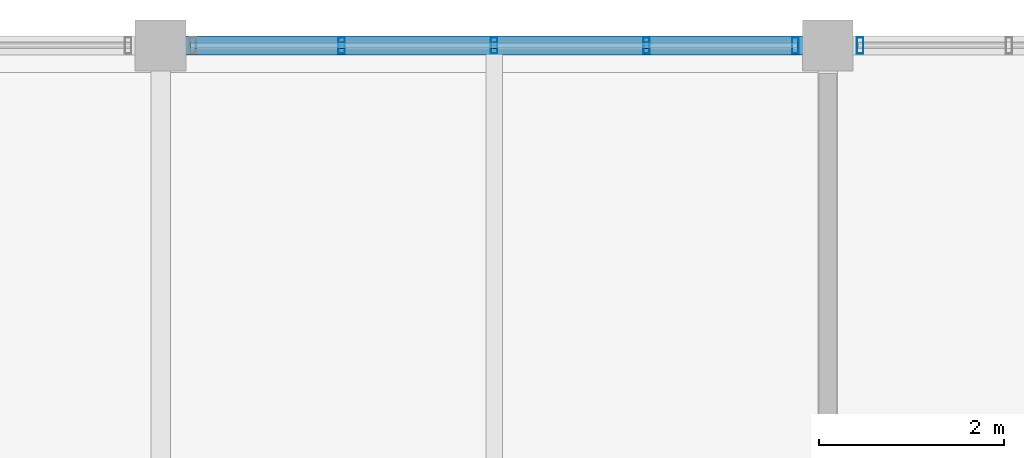
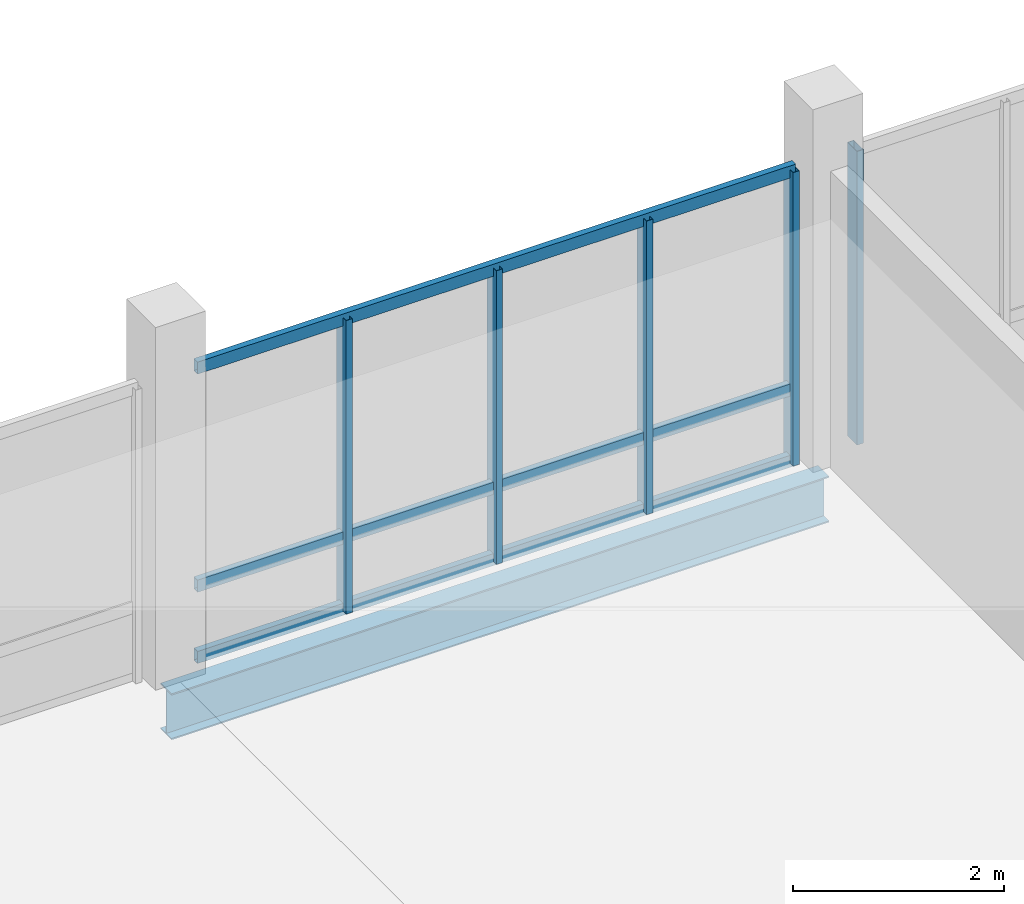
# One storey, part 20 of 47: 8 members, 1 beam, 2 elements without a shape of their own.
"""IFC4 building model written with IfcOpenShell, lengths in metres."""

from ifc_helpers import new_model, si_unit, direction, frame, origin, origin_2d, place, context, subcontext, project, spatial, hollow_rectangle, i_section, extrude, material, material_profile, profile_set, type_object, element, aggregate, save


model = new_model("IFC4")

# Units and contexts
model_context = context("Model", 3, precision=1e-05, world=origin(), true_north=direction((0.0, 1.0)))
body_context = subcontext(model_context, "Body", "Model", "MODEL_VIEW")
ifc_project = project(units=[si_unit("LENGTHUNIT", "METRE"), si_unit("AREAUNIT", "SQUARE_METRE"), si_unit("VOLUMEUNIT", "CUBIC_METRE"), si_unit("PLANEANGLEUNIT", "RADIAN"), si_unit("MASSUNIT", "GRAM", prefix="KILO")], contexts=[model_context])

# Site, building, storey
site_placement = place(None, origin())
site = spatial("IfcSite", under=ifc_project, at=site_placement, CompositionType="ELEMENT")
building_placement = place(site_placement, origin())
building = spatial("IfcBuilding", under=site, at=building_placement, Name="Yarey Park Central Fire Station", CompositionType="ELEMENT")
storey_placement = place(building_placement, frame((0.0, 0.0, 18.0)))
storey = spatial("IfcBuildingStorey", under=building, at=storey_placement, Name="L05", CompositionType="ELEMENT", Elevation=18.0)

# Curtain wall, members
ifc_material_1 = material(Name="Anodized Aluminium Frame", Category="aluminium")
curtain_wall_type = type_object("IfcCurtainWallType", Name="ENV_CW_HQ_L05", PredefinedType="NOTDEFINED", material=ifc_material_1)
curtain_wall_1_placement = place(storey_placement, origin())
curtain_wall_1 = element("IfcCurtainWall", 1, at=curtain_wall_1_placement, inside=storey, type_object=curtain_wall_type, Name="CW_L05_V4_N_3", PredefinedType="NOTDEFINED")
ifc_material_profile_1 = material_profile(ifc_material_1, hollow_rectangle(XDim=0.070068359375, YDim=0.179931640625, WallThickness=0.00390625, at=origin_2d()), Name="ALU 180x70x4")
ifc_profile_set_1 = profile_set([ifc_material_profile_1], Name="Anodized Aluminium Frame")
member_type_1 = type_object("IfcMemberType", Name="ENV_CW_MULLION", PredefinedType="MULLION", material=ifc_profile_set_1)
member_1_placement = place(storey_placement, frame((136.449951171875, 115.199951171875, 0.0), z_axis=(0.0, 0.0, 1.0), x_axis=(1.0, 0.0, 0.0)))
member_1 = element("IfcMember", 2, at=member_1_placement, type_object=member_type_1, Name="CW_L05_V4_N_3_MUL1", PredefinedType="MULLION", context=body_context, shape_type="SweptSolid", body=[
    extrude(hollow_rectangle(XDim=0.070068359375, YDim=0.179931640625, WallThickness=0.00390625, at=origin_2d()), origin(), (0.0, 0.0, 1.0), 3.39990234375),
])
member_2_placement = place(storey_placement, frame((134.844970703125, 115.199951171875, 0.0), z_axis=(0.0, 0.0, 1.0), x_axis=(1.0, 0.0, 0.0)))
member_2 = element("IfcMember", 3, at=member_2_placement, type_object=member_type_1, Name="CW_L05_V4_N_3_MUL2", PredefinedType="MULLION", context=body_context, shape_type="SweptSolid", body=[
    extrude(hollow_rectangle(XDim=0.070068359375, YDim=0.179931640625, WallThickness=0.00390625, at=origin_2d()), origin(), (0.0, 0.0, 1.0), 3.39990234375),
])
member_3_placement = place(storey_placement, frame((133.199951171875, 115.199951171875, 0.0), z_axis=(0.0, 0.0, 1.0), x_axis=(1.0, 0.0, 0.0)))
member_3 = element("IfcMember", 4, at=member_3_placement, type_object=member_type_1, Name="CW_L05_V4_N_3_MUL3", PredefinedType="MULLION", context=body_context, shape_type="SweptSolid", body=[
    extrude(hollow_rectangle(XDim=0.070068359375, YDim=0.179931640625, WallThickness=0.00390625, at=origin_2d()), origin(), (0.0, 0.0, 1.0), 3.39990234375),
])
member_4_placement = place(storey_placement, frame((131.554931640625, 115.199951171875, 0.0), z_axis=(0.0, 0.0, 1.0), x_axis=(1.0, 0.0, 0.0)))
member_4 = element("IfcMember", 5, at=member_4_placement, type_object=member_type_1, Name="CW_L05_V4_N_3_MUL4", PredefinedType="MULLION", context=body_context, shape_type="SweptSolid", body=[
    extrude(hollow_rectangle(XDim=0.070068359375, YDim=0.179931640625, WallThickness=0.00390625, at=origin_2d()), origin(), (0.0, 0.0, 1.0), 3.39990234375),
])

# Curtain wall, member
curtain_wall_2_placement = place(storey_placement, origin())
curtain_wall_2 = element("IfcCurtainWall", 6, at=curtain_wall_2_placement, inside=storey, type_object=curtain_wall_type, Name="CW_L05_V4_N_4", PredefinedType="NOTDEFINED")
member_5_placement = place(storey_placement, frame((137.14990234375, 115.199951171875, 0.0), z_axis=(0.0, 0.0, 1.0), x_axis=(1.0, 0.0, 0.0)))
member_5 = element("IfcMember", 7, at=member_5_placement, type_object=member_type_1, Name="CW_L05_V4_N_4_MUL5", PredefinedType="MULLION", context=body_context, shape_type="SweptSolid", body=[
    extrude(hollow_rectangle(XDim=0.070068359375, YDim=0.179931640625, WallThickness=0.00390625, at=origin_2d()), origin(), (0.0, 0.0, 1.0), 3.39990234375),
])
aggregate(curtain_wall_2, [member_5])

# Member
ifc_material_profile_2 = material_profile(ifc_material_1, hollow_rectangle(XDim=0.070068359375, YDim=0.139892578125, WallThickness=0.00390625, at=origin_2d()), Name="ALU 140x70x4")
ifc_profile_set_2 = profile_set([ifc_material_profile_2], Name="Anodized Aluminium Frame")
member_type_2 = type_object("IfcMemberType", Name="ENV_CW_TRANSOM", PredefinedType="USERDEFINED", material=ifc_profile_set_2)
member_6_placement = place(storey_placement, frame((136.47509765625, 115.199951171875, 0.02490234375), z_axis=(-1.0, 0.0, 0.0), x_axis=(0.0, -1.0, 0.0)))
member_6 = element("IfcMember", 8, at=member_6_placement, type_object=member_type_2, Name="CW_L05_V4_N_3_TRN1", ObjectType="TRANSOM", PredefinedType="USERDEFINED", context=body_context, shape_type="SweptSolid", body=[
    extrude(hollow_rectangle(XDim=0.070068359375, YDim=0.139892578125, WallThickness=0.00390625, at=origin_2d()), origin(), (0.0, 0.0, 1.0), 6.550048828125),
])

member_7_placement = place(storey_placement, frame((136.47509765625, 115.199951171875, 0.85009765625), z_axis=(-1.0, 0.0, 0.0), x_axis=(0.0, -1.0, 0.0)))
member_7 = element("IfcMember", 9, at=member_7_placement, type_object=member_type_2, Name="CW_L05_V4_N_3_TRN2", ObjectType="TRANSOM", PredefinedType="USERDEFINED", context=body_context, shape_type="SweptSolid", body=[
    extrude(hollow_rectangle(XDim=0.070068359375, YDim=0.139892578125, WallThickness=0.00390625, at=origin_2d()), origin(), (0.0, 0.0, 1.0), 6.550048828125),
])

member_8_placement = place(storey_placement, frame((136.47509765625, 115.199951171875, 3.375), z_axis=(-1.0, 0.0, 0.0), x_axis=(0.0, -1.0, 0.0)))
member_8 = element("IfcMember", 10, at=member_8_placement, type_object=member_type_2, Name="CW_L05_V4_N_3_TRN3", ObjectType="TRANSOM", PredefinedType="USERDEFINED", context=body_context, shape_type="SweptSolid", body=[
    extrude(hollow_rectangle(XDim=0.070068359375, YDim=0.139892578125, WallThickness=0.00390625, at=origin_2d()), origin(), (0.0, 0.0, 1.0), 6.550048828125),
])

aggregate(curtain_wall_1, [member_1, member_2, member_3, member_4, member_6, member_7, member_8])

# Beam
ifc_material_2 = material(Name="Steel ASTM A992 Gr. 50", Category="steel")
ifc_material_profile_3 = material_profile(ifc_material_2, i_section(OverallWidth=0.208984375, OverallDepth=0.532958984375, WebThickness=0.01025390625, FlangeThickness=0.015625, at=origin_2d()), Name="W530x92")
ifc_profile_set_3 = profile_set([ifc_material_profile_3], Name="Steel ASTM A992 Gr. 50")
beam_type = type_object("IfcBeamType", Name="STR_BM_W530", PredefinedType="BEAM", material=ifc_profile_set_3)
beam_placement = place(storey_placement, frame((129.60009765625, 115.199951171875, -0.506591796875), z_axis=(1.0, 0.0, 0.0), x_axis=(0.0, 1.0, 0.0)))
element("IfcBeam", 11, at=beam_placement, inside=storey, type_object=beam_type, Name="BMX L05 Y1152 X1296", PredefinedType="BEAM", context=body_context, shape_type="SweptSolid", body=[
    extrude(i_section(OverallWidth=0.208984375, OverallDepth=0.532958984375, WebThickness=0.01025390625, FlangeThickness=0.015625, at=origin_2d()), origin(), (0.0, 0.0, 1.0), 7.199951171875),
])

save(model, "model.ifc")
